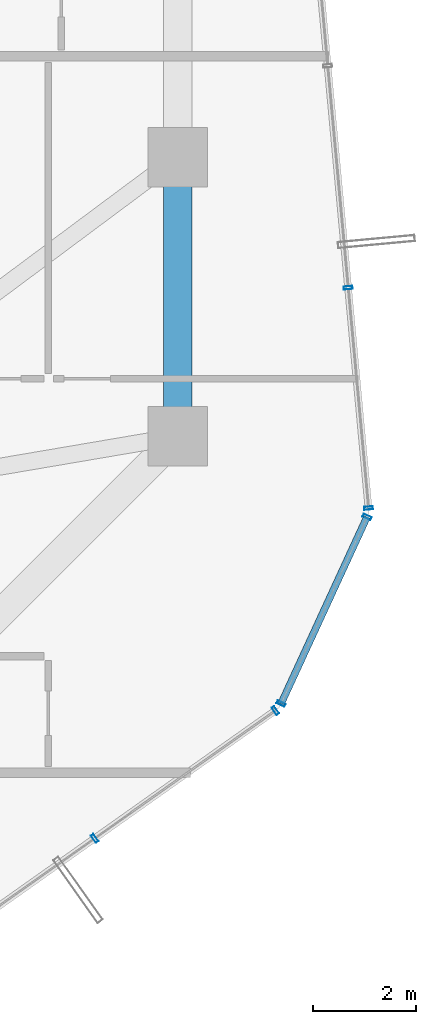
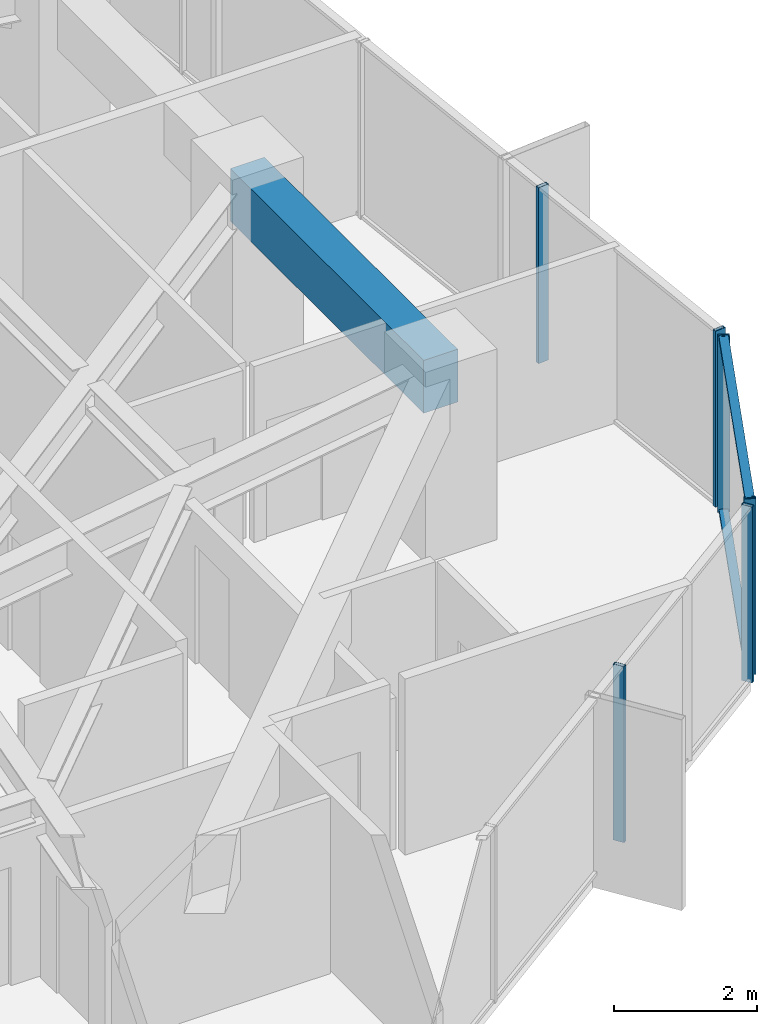
# One storey, part 15 of 33: 8 members, 1 beam, 3 elements without a shape of their own.
"""IFC4 building model written with IfcOpenShell, lengths in metres."""

from ifc_helpers import new_model, si_unit, direction, frame, origin, origin_2d, place, context, subcontext, project, spatial, rectangle, hollow_rectangle, extrude, source, transform, mapped, material, layer, layer_set, material_profile, profile_set, type_object, element, aggregate, save


model = new_model("IFC4")

# Units and contexts
model_context = context("Model", 3, precision=1e-05, world=origin(), true_north=direction((0.0, 1.0)))
body_context = subcontext(model_context, "Body", "Model", "MODEL_VIEW")
ifc_project = project(units=[si_unit("LENGTHUNIT", "METRE"), si_unit("AREAUNIT", "SQUARE_METRE"), si_unit("VOLUMEUNIT", "CUBIC_METRE"), si_unit("PLANEANGLEUNIT", "RADIAN"), si_unit("MASSUNIT", "GRAM", prefix="KILO")], contexts=[model_context])

# Site, building, storey
site_placement = place(None, origin())
site = spatial("IfcSite", under=ifc_project, at=site_placement, CompositionType="ELEMENT")
building_placement = place(site_placement, origin())
building = spatial("IfcBuilding", under=site, at=building_placement, Name="Veraguas Prism Commons", CompositionType="ELEMENT")
storey_placement = place(building_placement, frame((0.0, 0.0, 145.75)))
storey = spatial("IfcBuildingStorey", under=building, at=storey_placement, Name="L41", CompositionType="ELEMENT", Elevation=145.75)

# Beam
ifc_material_1 = material(Name="Concrete C50/60", Category="concrete")
ifc_material_profile_1 = material_profile(ifc_material_1, rectangle(XDim=0.550048828125, YDim=0.89990234375, at=origin_2d()), Name="RC550X900")
ifc_profile_set_1 = profile_set([ifc_material_profile_1], Name="Concrete C50/60")
beam_type = type_object("IfcBeamType", Name="Perimeter Spandrel Lower RC 550x900", PredefinedType="SPANDREL", material=ifc_profile_set_1)
beam_placement = place(storey_placement, frame((40.199951171875, 18.60009765625, 2.550048828125), z_axis=(0.0, 1.0, 0.0), x_axis=(-1.0, 0.0, 0.0)))
element("IfcBeam", 1, at=beam_placement, inside=storey, type_object=beam_type, Name="Perimeter Spandrel Beam L41-SP01", PredefinedType="SPANDREL", context=body_context, shape_type="SweptSolid", body=[
    extrude(rectangle(XDim=0.550048828125, YDim=0.89990234375, at=origin_2d()), origin(), (0.0, 0.0, 1.0), 5.39990234375),
])

# Curtain wall, members
ifc_material_2 = material(Name="Anodised aluminium EN AW-6063 T6", Category="aluminium")
ifc_layer = layer(ifc_material_2, 0.169921875, Name="Unitised Flush Curtain Wall Zone 2", Category="aluminium")
ifc_layer_set = layer_set([ifc_layer], Name="Anodised aluminium EN AW-6063 T6")
curtain_wall_type = type_object("IfcCurtainWallType", Name="Unitised Flush Curtain Wall Zone 2", PredefinedType="NOTDEFINED", material=ifc_layer_set)
curtain_wall_1_placement = place(storey_placement, origin())
curtain_wall_1 = element("IfcCurtainWall", 2, at=curtain_wall_1_placement, inside=storey, type_object=curtain_wall_type, Name="Tower Facade Curtain Wall L41-F5", PredefinedType="NOTDEFINED")
ifc_material_profile_2 = material_profile(ifc_material_2, hollow_rectangle(XDim=0.06005859375, YDim=0.169921875, WallThickness=0.00390625, at=origin_2d()), Name="AL60X170X4")
ifc_profile_set_2 = profile_set([ifc_material_profile_2], Name="Anodised aluminium EN AW-6063 T6")
member_type_1 = type_object("IfcMemberType", Name="Curtain Wall Mullion Lower AL 60x170x4", PredefinedType="MULLION", material=ifc_profile_set_2)
shared_shape_1 = source(origin(), body_context, "Body", "SweptSolid", [
    extrude(hollow_rectangle(XDim=0.06005859375, YDim=0.169921875, WallThickness=0.00390625, at=origin_2d()), origin(), (0.0, 0.0, 1.0), 3.0),
])
member_1_placement = place(storey_placement, frame((38.596435546875, 10.8291015625, 0.0), z_axis=(0.0, 0.0, 1.0), x_axis=(0.81634227487, 0.577568429072, 0.0)))
member_1 = element("IfcMember", 3, at=member_1_placement, type_object=member_type_1, Name="CW-Z2 Mullion 4", PredefinedType="MULLION", context=body_context, shape_type="MappedRepresentation", body=[
    mapped(shared_shape_1, transform((0.0, 0.0, 0.0), scale=1.0)),
])
member_2_placement = place(storey_placement, frame((42.08935546875, 13.30029296875, 0.0), z_axis=(0.0, 0.0, 1.0), x_axis=(0.81634227487, 0.577568429072, 0.0)))
member_2 = element("IfcMember", 4, at=member_2_placement, type_object=member_type_1, Name="CW-Z2 Mullion 5", PredefinedType="MULLION", context=body_context, shape_type="MappedRepresentation", body=[
    mapped(shared_shape_1, transform((0.0, 0.0, 0.0), scale=1.0)),
])
aggregate(curtain_wall_1, [member_1, member_2])

curtain_wall_2_placement = place(storey_placement, origin())
curtain_wall_2 = element("IfcCurtainWall", 5, at=curtain_wall_2_placement, inside=storey, type_object=curtain_wall_type, Name="Tower Facade Curtain Wall L41-F6", PredefinedType="NOTDEFINED")
member_3_placement = place(storey_placement, frame((43.891357421875, 17.21435546875, 0.0), z_axis=(0.0, 0.0, 1.0), x_axis=(-0.092024746261, 0.995756720327, 0.0)))
member_3 = element("IfcMember", 6, at=member_3_placement, type_object=member_type_1, Name="CW-Z2 Mullion 1", PredefinedType="MULLION", context=body_context, shape_type="MappedRepresentation", body=[
    mapped(shared_shape_1, transform((0.0, 0.0, 0.0), scale=1.0)),
])
member_4_placement = place(storey_placement, frame((43.49755859375, 21.474853515625, 0.0), z_axis=(0.0, 0.0, 1.0), x_axis=(-0.092024746261, 0.995756720327, 0.0)))
member_4 = element("IfcMember", 7, at=member_4_placement, type_object=member_type_1, Name="CW-Z2 Mullion 2", PredefinedType="MULLION", context=body_context, shape_type="MappedRepresentation", body=[
    mapped(shared_shape_1, transform((0.0, 0.0, 0.0), scale=1.0)),
])
aggregate(curtain_wall_2, [member_3, member_4])

curtain_wall_3_placement = place(storey_placement, origin())
curtain_wall_3 = element("IfcCurtainWall", 8, at=curtain_wall_3_placement, inside=storey, type_object=curtain_wall_type, Name="Chamfer Curtain Wall L41-C6", PredefinedType="NOTDEFINED")
member_5_placement = place(storey_placement, frame((42.200439453125, 13.43408203125, 0.0), z_axis=(0.0, 0.0, 1.0), x_axis=(0.418181006731, 0.908363718787, 0.0)))
member_5 = element("IfcMember", 9, at=member_5_placement, type_object=member_type_1, Name="CW-Z2 Mullion 1", PredefinedType="MULLION", context=body_context, shape_type="MappedRepresentation", body=[
    mapped(shared_shape_1, transform((0.0, 0.0, 0.0), scale=1.0)),
])
member_6_placement = place(storey_placement, frame((43.862060546875, 17.043212890625, 0.0), z_axis=(0.0, 0.0, 1.0), x_axis=(0.418181006731, 0.908363718787, 0.0)))
member_6 = element("IfcMember", 10, at=member_6_placement, type_object=member_type_1, Name="CW-Z2 Mullion 2", PredefinedType="MULLION", context=body_context, shape_type="MappedRepresentation", body=[
    mapped(shared_shape_1, transform((0.0, 0.0, 0.0), scale=1.0)),
])
ifc_material_profile_3 = material_profile(ifc_material_2, hollow_rectangle(XDim=0.054931640625, YDim=0.135009765625, WallThickness=0.0029296875, at=origin_2d()), Name="AL55X135X3")
ifc_profile_set_3 = profile_set([ifc_material_profile_3], Name="Anodised aluminium EN AW-6063 T6")
member_type_2 = type_object("IfcMemberType", Name="Curtain Wall Transom Standard AL 55x135x3", PredefinedType="USERDEFINED", material=ifc_profile_set_3)
shared_shape_2 = source(origin(), body_context, "Body", "SweptSolid", [
    extrude(hollow_rectangle(XDim=0.054931640625, YDim=0.135009765625, WallThickness=0.0029296875, at=origin_2d()), origin(), (0.0, 0.0, 1.0), 3.97314453125),
])
member_7_placement = place(storey_placement, frame((42.200439453125, 13.43408203125, 0.027587890625), z_axis=(0.418200745549, 0.90835463142, 0.0), x_axis=(0.0, 0.0, 1.0)))
member_7 = element("IfcMember", 11, at=member_7_placement, type_object=member_type_2, Name="CW-Z2 Transom 1", ObjectType="TRANSOM", PredefinedType="USERDEFINED", context=body_context, shape_type="MappedRepresentation", body=[
    mapped(shared_shape_2, transform((0.0, 0.0, 0.0), scale=1.0)),
])
member_8_placement = place(storey_placement, frame((42.200439453125, 13.43408203125, 2.972412109375), z_axis=(0.418200745549, 0.90835463142, 0.0), x_axis=(0.0, 0.0, 1.0)))
member_8 = element("IfcMember", 12, at=member_8_placement, type_object=member_type_2, Name="CW-Z2 Transom 2", ObjectType="TRANSOM", PredefinedType="USERDEFINED", context=body_context, shape_type="MappedRepresentation", body=[
    mapped(shared_shape_2, transform((0.0, 0.0, 0.0), scale=1.0)),
])
aggregate(curtain_wall_3, [member_5, member_6, member_7, member_8])

save(model, "model.ifc")
